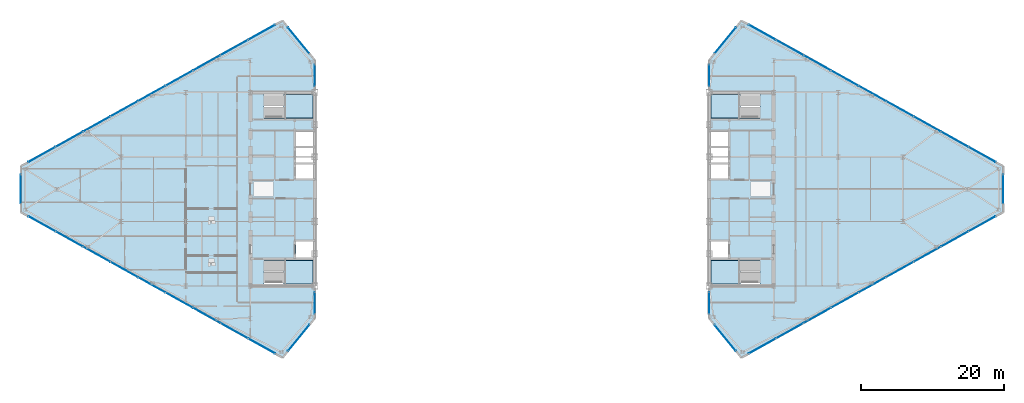
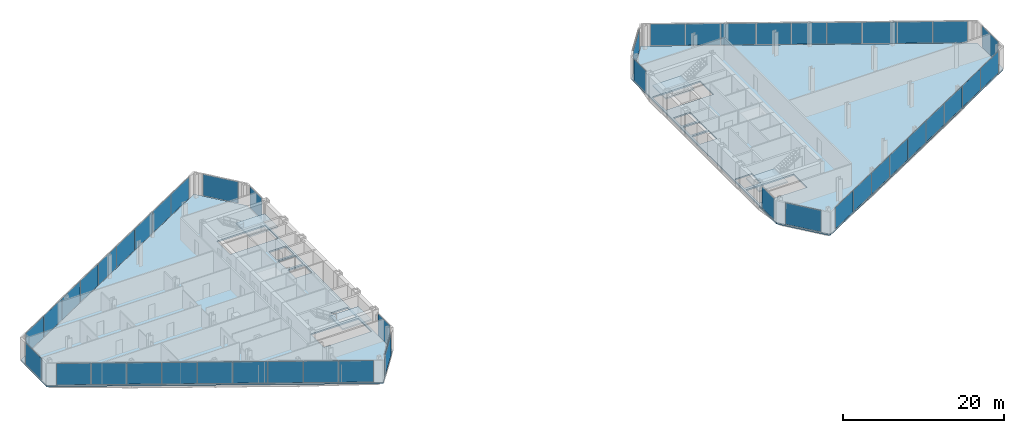
# One storey, part 18 of 26: 46 plates, 6 slabs, 18 elements without a shape of their own.
"""IFC4 building model written with IfcOpenShell, lengths in metres."""

from ifc_helpers import new_model, si_unit, direction, frame, origin, origin_2d, place, context, subcontext, project, spatial, polyline, rectangle, outline, extrude, source, transform, mapped, material, layer, layer_set, type_object, type_shapes, element, aggregate, save


model = new_model("IFC4")

# Units and contexts
model_context = context("Model", 3, precision=1e-05, world=origin(), true_north=direction((0.0, 1.0)))
body_context = subcontext(model_context, "Body", "Model", "MODEL_VIEW")
ifc_project = project(units=[si_unit("LENGTHUNIT", "METRE"), si_unit("AREAUNIT", "SQUARE_METRE"), si_unit("VOLUMEUNIT", "CUBIC_METRE"), si_unit("PLANEANGLEUNIT", "RADIAN"), si_unit("MASSUNIT", "GRAM", prefix="KILO")], contexts=[model_context])

# Site, building, storey
site_placement = place(None, origin())
site = spatial("IfcSite", under=ifc_project, at=site_placement, CompositionType="ELEMENT")
building_placement = place(site_placement, origin())
building = spatial("IfcBuilding", under=site, at=building_placement, Name="Seokmaru Belvedere", CompositionType="ELEMENT")
storey_placement = place(building_placement, frame((0.0, 0.0, 181.5)))
storey = spatial("IfcBuildingStorey", under=building, at=storey_placement, Name="L48", CompositionType="ELEMENT", Elevation=181.5)

# Stair, slab
ifc_material_1 = material(Name="Concrete C40 (40 MPa)", Category="concrete")
stair_type = type_object("IfcStairType", Name="Typical Tower Core Dog-Leg Stair 3600", PredefinedType="TWO_STRAIGHT_RUN_STAIR", material=ifc_material_1)
stair_1_placement = place(storey_placement, origin())
stair_1 = element("IfcStair", 1, at=stair_1_placement, inside=storey, type_object=stair_type, Name="L48 Special Escape Stair ST-W1", PredefinedType="TWO_STRAIGHT_RUN_STAIR")
ifc_layer_1 = layer(ifc_material_1, 0.199951171875)
ifc_layer_set_1 = layer_set([ifc_layer_1], Name="Concrete C40 (40 MPa)")
slab_type_1 = type_object("IfcSlabType", Name="Reinforced Concrete Stair Landing Slab 200", PredefinedType="LANDING", material=ifc_layer_set_1)
slab_1_placement = place(storey_placement, frame((0.0, 0.0, 1.60009765625)))
slab_1 = element("IfcSlab", 2, at=slab_1_placement, type_object=slab_type_1, Name="ST-W1 landing 1", PredefinedType="LANDING", context=body_context, shape_type="SweptSolid", body=[
    extrude(outline(polyline([(-31.8798828125, -13.239990234375), (-27.760009765625, -13.239990234375), (-27.760009765625, -9.949951171875), (-31.8798828125, -9.949951171875), (-31.8798828125, -13.239990234375)])), origin(), (0.0, 0.0, 1.0), 0.199951171875),
])
aggregate(stair_1, [slab_1])

stair_2_placement = place(storey_placement, origin())
stair_2 = element("IfcStair", 3, at=stair_2_placement, inside=storey, type_object=stair_type, Name="L48 Special Escape Stair ST-W2", PredefinedType="TWO_STRAIGHT_RUN_STAIR")
slab_2_placement = place(storey_placement, frame((0.0, 0.0, 1.60009765625)))
slab_2 = element("IfcSlab", 4, at=slab_2_placement, type_object=slab_type_1, Name="ST-W2 landing 1", PredefinedType="LANDING", context=body_context, shape_type="SweptSolid", body=[
    extrude(outline(polyline([(-31.8798828125, 9.949951171875), (-27.760009765625, 9.949951171875), (-27.760009765625, 13.239990234375), (-31.8798828125, 13.239990234375), (-31.8798828125, 9.949951171875)])), origin(), (0.0, 0.0, 1.0), 0.199951171875),
])
aggregate(stair_2, [slab_2])

stair_3_placement = place(storey_placement, origin())
stair_3 = element("IfcStair", 5, at=stair_3_placement, inside=storey, type_object=stair_type, Name="L48 Special Escape Stair ST-E1", PredefinedType="TWO_STRAIGHT_RUN_STAIR")
slab_3_placement = place(storey_placement, frame((0.0, 0.0, 1.60009765625)))
slab_3 = element("IfcSlab", 6, at=slab_3_placement, type_object=slab_type_1, Name="ST-E1 landing 1", PredefinedType="LANDING", context=body_context, shape_type="SweptSolid", body=[
    extrude(outline(polyline([(27.760009765625, -13.239990234375), (31.8798828125, -13.239990234375), (31.8798828125, -9.949951171875), (27.760009765625, -9.949951171875), (27.760009765625, -13.239990234375)])), origin(), (0.0, 0.0, 1.0), 0.199951171875),
])
aggregate(stair_3, [slab_3])

stair_4_placement = place(storey_placement, origin())
stair_4 = element("IfcStair", 7, at=stair_4_placement, inside=storey, type_object=stair_type, Name="L48 Special Escape Stair ST-E2", PredefinedType="TWO_STRAIGHT_RUN_STAIR")
slab_4_placement = place(storey_placement, frame((0.0, 0.0, 1.60009765625)))
slab_4 = element("IfcSlab", 8, at=slab_4_placement, type_object=slab_type_1, Name="ST-E2 landing 1", PredefinedType="LANDING", context=body_context, shape_type="SweptSolid", body=[
    extrude(outline(polyline([(27.760009765625, 9.949951171875), (31.8798828125, 9.949951171875), (31.8798828125, 13.239990234375), (27.760009765625, 13.239990234375), (27.760009765625, 9.949951171875)])), origin(), (0.0, 0.0, 1.0), 0.199951171875),
])
aggregate(stair_4, [slab_4])

# Slabs
ifc_layer_2 = layer(ifc_material_1, 0.219970703125)
ifc_layer_set_2 = layer_set([ifc_layer_2], Name="Concrete C40 (40 MPa)")
slab_type_2 = type_object("IfcSlabType", Name="Typical Tower Composite Floor Slab 220", PredefinedType="FLOOR", material=ifc_layer_set_2)
slab_5_placement = place(storey_placement, frame((0.0, 0.0, -0.219970703125)))
element("IfcSlab", 9, at=slab_5_placement, inside=storey, type_object=slab_type_2, Name="L48 West Leg Floor Slab", PredefinedType="FLOOR", context=body_context, shape_type="SweptSolid", body=[
    extrude(outline(polyline([(-27.5, -18.0), (-27.5, 18.0), (-32.0, 23.5), (-68.5, 3.199951171875), (-68.5, -3.199951171875), (-32.0, -23.5), (-27.5, -18.0)]), holes=[polyline([(-34.60009765625, -13.25), (-27.75, -13.25), (-27.75, -9.949951171875), (-34.60009765625, -9.949951171875), (-34.60009765625, -13.25)]), polyline([(-34.60009765625, 9.949951171875), (-27.75, 9.949951171875), (-27.75, 13.25), (-34.60009765625, 13.25), (-34.60009765625, 9.949951171875)]), polyline([(-30.14990234375, -9.550048828125), (-27.75, -9.550048828125), (-27.75, -7.25), (-30.14990234375, -7.25), (-30.14990234375, -9.550048828125)]), polyline([(-30.14990234375, 1.449951171875), (-27.75, 1.449951171875), (-27.75, 3.449951171875), (-30.14990234375, 3.449951171875), (-30.14990234375, 1.449951171875)]), polyline([(-30.14990234375, 3.75), (-27.75, 3.75), (-27.75, 5.75), (-30.14990234375, 5.75), (-30.14990234375, 3.75)]), polyline([(-30.14990234375, 6.050048828125), (-27.75, 6.050048828125), (-27.75, 8.050048828125), (-30.14990234375, 8.050048828125), (-30.14990234375, 6.050048828125)])]), origin(), (0.0, 0.0, 1.0), 0.219970703125),
])
slab_6_placement = place(storey_placement, frame((0.0, 0.0, -0.219970703125)))
element("IfcSlab", 10, at=slab_6_placement, inside=storey, type_object=slab_type_2, Name="L48 East Leg Floor Slab", PredefinedType="FLOOR", context=body_context, shape_type="SweptSolid", body=[
    extrude(outline(polyline([(32.0, -23.5), (68.5, -3.199951171875), (68.5, 3.199951171875), (32.0, 23.5), (27.5, 18.0), (27.5, -18.0), (32.0, -23.5)]), holes=[polyline([(27.75, -13.25), (34.60009765625, -13.25), (34.60009765625, -9.949951171875), (27.75, -9.949951171875), (27.75, -13.25)]), polyline([(27.75, 9.949951171875), (34.60009765625, 9.949951171875), (34.60009765625, 13.25), (27.75, 13.25), (27.75, 9.949951171875)]), polyline([(27.75, -9.550048828125), (30.14990234375, -9.550048828125), (30.14990234375, -7.25), (27.75, -7.25), (27.75, -9.550048828125)]), polyline([(27.75, 1.449951171875), (30.14990234375, 1.449951171875), (30.14990234375, 3.449951171875), (27.75, 3.449951171875), (27.75, 1.449951171875)]), polyline([(27.75, 3.75), (30.14990234375, 3.75), (30.14990234375, 5.75), (27.75, 5.75), (27.75, 3.75)]), polyline([(27.75, 6.050048828125), (30.14990234375, 6.050048828125), (30.14990234375, 8.050048828125), (27.75, 8.050048828125), (27.75, 6.050048828125)])]), origin(), (0.0, 0.0, 1.0), 0.219970703125),
])

# Curtain wall, plate
ifc_material_2 = material(Name="Bronze Triple Insulating Glass", Category="glass")
ifc_layer_3 = layer(ifc_material_2, 0.179931640625)
ifc_layer_set_3 = layer_set([ifc_layer_3], Name="Bronze Triple Insulating Glass")
curtain_wall_type = type_object("IfcCurtainWallType", Name="High-Rise Wind-Corner Curtain Wall System CW-5", PredefinedType="NOTDEFINED", material=ifc_layer_set_3)
curtain_wall_1_placement = place(storey_placement, origin())
curtain_wall_1 = element("IfcCurtainWall", 11, at=curtain_wall_1_placement, inside=storey, type_object=curtain_wall_type, Name="L48 Curtain Wall WSP_1", PredefinedType="NOTDEFINED")
ifc_layer_4 = layer(ifc_material_2, 0.035888671875)
ifc_layer_set_4 = layer_set([ifc_layer_4], Name="Bronze Triple Insulating Glass")
plate_type = type_object("IfcPlateType", Name="Bronze Triple Vision Glazing Panel 36", PredefinedType="CURTAIN_PANEL", material=ifc_layer_set_4)
shared_shape_1 = source(origin(), body_context, "Body", "SweptSolid", [
    extrude(rectangle(XDim=2.969970703125, YDim=0.035888671875, at=origin_2d()), origin(), (0.0, 0.0, 1.0), 3.25),
])
plate_1_placement = place(storey_placement, frame((-27.5, -15.8798828125, 0.06494140625), z_axis=(0.0, 0.0, 1.0), x_axis=(0.0, 1.0, 0.0)))
plate_1 = element("IfcPlate", 12, at=plate_1_placement, type_object=plate_type, Name="CW:L48:WSP_1 Glazing Panel 1-1", PredefinedType="CURTAIN_PANEL", context=body_context, shape_type="MappedRepresentation", body=[
    mapped(shared_shape_1, transform((0.0, 0.0, 0.0), scale=1.0)),
])
aggregate(curtain_wall_1, [plate_1])

curtain_wall_2_placement = place(storey_placement, origin())
curtain_wall_2 = element("IfcCurtainWall", 13, at=curtain_wall_2_placement, inside=storey, type_object=curtain_wall_type, Name="L48 Curtain Wall WSP_2", PredefinedType="NOTDEFINED")
plate_2_placement = place(storey_placement, frame((-27.5, 15.8798828125, 0.06494140625), z_axis=(0.0, 0.0, 1.0), x_axis=(0.0, 1.0, 0.0)))
plate_2 = element("IfcPlate", 14, at=plate_2_placement, type_object=plate_type, Name="CW:L48:WSP_2 Glazing Panel 1-1", PredefinedType="CURTAIN_PANEL", context=body_context, shape_type="MappedRepresentation", body=[
    mapped(shared_shape_1, transform((0.0, 0.0, 0.0), scale=1.0)),
])
aggregate(curtain_wall_2, [plate_2])

curtain_wall_3_placement = place(storey_placement, origin())
curtain_wall_3 = element("IfcCurtainWall", 15, at=curtain_wall_3_placement, inside=storey, type_object=curtain_wall_type, Name="L48 Curtain Wall ESP_1", PredefinedType="NOTDEFINED")
plate_3_placement = place(storey_placement, frame((27.5, -15.8798828125, 0.06494140625), z_axis=(0.0, 0.0, 1.0), x_axis=(0.0, -1.0, 0.0)))
plate_3 = element("IfcPlate", 16, at=plate_3_placement, type_object=plate_type, Name="CW:L48:ESP_1 Glazing Panel 1-1", PredefinedType="CURTAIN_PANEL", context=body_context, shape_type="MappedRepresentation", body=[
    mapped(shared_shape_1, transform((0.0, 0.0, 0.0), scale=1.0)),
])
aggregate(curtain_wall_3, [plate_3])

curtain_wall_4_placement = place(storey_placement, origin())
curtain_wall_4 = element("IfcCurtainWall", 17, at=curtain_wall_4_placement, inside=storey, type_object=curtain_wall_type, Name="L48 Curtain Wall ESP_2", PredefinedType="NOTDEFINED")
plate_4_placement = place(storey_placement, frame((27.5, 15.8798828125, 0.06494140625), z_axis=(0.0, 0.0, 1.0), x_axis=(0.0, -1.0, 0.0)))
plate_4 = element("IfcPlate", 18, at=plate_4_placement, type_object=plate_type, Name="CW:L48:ESP_2 Glazing Panel 1-1", PredefinedType="CURTAIN_PANEL", context=body_context, shape_type="MappedRepresentation", body=[
    mapped(shared_shape_1, transform((0.0, 0.0, 0.0), scale=1.0)),
])
aggregate(curtain_wall_4, [plate_4])

curtain_wall_5_placement = place(storey_placement, origin())
curtain_wall_5 = element("IfcCurtainWall", 19, at=curtain_wall_5_placement, inside=storey, type_object=curtain_wall_type, Name="L48 Curtain Wall WF2", PredefinedType="NOTDEFINED")
shared_shape_2 = source(origin(), body_context, "Body", "SweptSolid", [
    extrude(rectangle(XDim=4.67626953125, YDim=0.035888671875, at=origin_2d()), origin(), (0.0, 0.0, 1.0), 3.25),
])
plate_5_placement = place(storey_placement, frame((-29.75, 20.75, 0.06494140625), z_axis=(0.0, 0.0, 1.0), x_axis=(-0.633253907144, 0.773944112379, 0.0)))
plate_5 = element("IfcPlate", 20, at=plate_5_placement, type_object=plate_type, Name="CW:L48:WF2 Glazing Panel 1-1", PredefinedType="CURTAIN_PANEL", context=body_context, shape_type="MappedRepresentation", body=[
    mapped(shared_shape_2, transform((0.0, 0.0, 0.0), scale=1.0)),
])
aggregate(curtain_wall_5, [plate_5])

curtain_wall_6_placement = place(storey_placement, origin())
curtain_wall_6 = element("IfcCurtainWall", 21, at=curtain_wall_6_placement, inside=storey, type_object=curtain_wall_type, Name="L48 Curtain Wall WF6", PredefinedType="NOTDEFINED")
plate_6_placement = place(storey_placement, frame((-29.75, -20.75, 0.06494140625), z_axis=(0.0, 0.0, 1.0), x_axis=(0.633253907144, 0.773944112379, 0.0)))
plate_6 = element("IfcPlate", 22, at=plate_6_placement, type_object=plate_type, Name="CW:L48:WF6 Glazing Panel 1-1", PredefinedType="CURTAIN_PANEL", context=body_context, shape_type="MappedRepresentation", body=[
    mapped(shared_shape_2, transform((0.0, 0.0, 0.0), scale=1.0)),
])
aggregate(curtain_wall_6, [plate_6])

curtain_wall_7_placement = place(storey_placement, origin())
curtain_wall_7 = element("IfcCurtainWall", 23, at=curtain_wall_7_placement, inside=storey, type_object=curtain_wall_type, Name="L48 Curtain Wall EF4", PredefinedType="NOTDEFINED")
plate_7_placement = place(storey_placement, frame((29.75, 20.75, 0.06494140625), z_axis=(0.0, 0.0, 1.0), x_axis=(-0.633253907144, -0.773944112379, 0.0)))
plate_7 = element("IfcPlate", 24, at=plate_7_placement, type_object=plate_type, Name="CW:L48:EF4 Glazing Panel 1-1", PredefinedType="CURTAIN_PANEL", context=body_context, shape_type="MappedRepresentation", body=[
    mapped(shared_shape_2, transform((0.0, 0.0, 0.0), scale=1.0)),
])
aggregate(curtain_wall_7, [plate_7])

curtain_wall_8_placement = place(storey_placement, origin())
curtain_wall_8 = element("IfcCurtainWall", 25, at=curtain_wall_8_placement, inside=storey, type_object=curtain_wall_type, Name="L48 Curtain Wall EF6", PredefinedType="NOTDEFINED")
plate_8_placement = place(storey_placement, frame((29.75, -20.75, 0.06494140625), z_axis=(0.0, 0.0, 1.0), x_axis=(0.633253907144, -0.773944112379, 0.0)))
plate_8 = element("IfcPlate", 26, at=plate_8_placement, type_object=plate_type, Name="CW:L48:EF6 Glazing Panel 1-1", PredefinedType="CURTAIN_PANEL", context=body_context, shape_type="MappedRepresentation", body=[
    mapped(shared_shape_2, transform((0.0, 0.0, 0.0), scale=1.0)),
])
aggregate(curtain_wall_8, [plate_8])

# Curtain wall, plates
curtain_wall_9_placement = place(storey_placement, origin())
curtain_wall_9 = element("IfcCurtainWall", 27, at=curtain_wall_9_placement, inside=storey, type_object=curtain_wall_type, Name="L48 Curtain Wall WF3", PredefinedType="NOTDEFINED")
shared_shape_3 = source(origin(), body_context, "Body", "SweptSolid", [
    extrude(rectangle(XDim=4.28759765625, YDim=0.035888671875, at=origin_2d()), origin(), (0.0, 0.0, 1.0), 3.25),
])
plate_9_placement = place(storey_placement, frame((-34.935302734375, 21.867431640625, 0.06494140625), z_axis=(0.0, 0.0, 1.0), x_axis=(-0.873932601598, -0.486047125147, 0.0)))
plate_9 = element("IfcPlate", 28, at=plate_9_placement, type_object=plate_type, Name="CW:L48:WF3 Glazing Panel 1-1", PredefinedType="CURTAIN_PANEL", context=body_context, shape_type="MappedRepresentation", body=[
    mapped(shared_shape_3, transform((0.0, 0.0, 0.0), scale=1.0)),
])
plate_10_placement = place(storey_placement, frame((-65.564697265625, 4.83251953125, 0.06494140625), z_axis=(0.0, 0.0, 1.0), x_axis=(-0.873932601598, -0.486047125147, 0.0)))
plate_10 = element("IfcPlate", 29, at=plate_10_placement, type_object=plate_type, Name="CW:L48:WF3 Glazing Panel 9-1", PredefinedType="CURTAIN_PANEL", context=body_context, shape_type="MappedRepresentation", body=[
    mapped(shared_shape_3, transform((0.0, 0.0, 0.0), scale=1.0)),
])

curtain_wall_10_placement = place(storey_placement, origin())
curtain_wall_10 = element("IfcCurtainWall", 30, at=curtain_wall_10_placement, inside=storey, type_object=curtain_wall_type, Name="L48 Curtain Wall WF5", PredefinedType="NOTDEFINED")
plate_11_placement = place(storey_placement, frame((-65.564697265625, -4.83251953125, 0.06494140625), z_axis=(0.0, 0.0, 1.0), x_axis=(0.873932601598, -0.486047125147, 0.0)))
plate_11 = element("IfcPlate", 31, at=plate_11_placement, type_object=plate_type, Name="CW:L48:WF5 Glazing Panel 1-1", PredefinedType="CURTAIN_PANEL", context=body_context, shape_type="MappedRepresentation", body=[
    mapped(shared_shape_3, transform((0.0, 0.0, 0.0), scale=1.0)),
])
plate_12_placement = place(storey_placement, frame((-34.935302734375, -21.867431640625, 0.06494140625), z_axis=(0.0, 0.0, 1.0), x_axis=(0.873932601598, -0.486047125147, 0.0)))
plate_12 = element("IfcPlate", 32, at=plate_12_placement, type_object=plate_type, Name="CW:L48:WF5 Glazing Panel 9-1", PredefinedType="CURTAIN_PANEL", context=body_context, shape_type="MappedRepresentation", body=[
    mapped(shared_shape_3, transform((0.0, 0.0, 0.0), scale=1.0)),
])

curtain_wall_11_placement = place(storey_placement, origin())
curtain_wall_11 = element("IfcCurtainWall", 33, at=curtain_wall_11_placement, inside=storey, type_object=curtain_wall_type, Name="L48 Curtain Wall EF1", PredefinedType="NOTDEFINED")
plate_13_placement = place(storey_placement, frame((34.935302734375, -21.867431640625, 0.06494140625), z_axis=(0.0, 0.0, 1.0), x_axis=(0.873932601598, 0.486047125147, 0.0)))
plate_13 = element("IfcPlate", 34, at=plate_13_placement, type_object=plate_type, Name="CW:L48:EF1 Glazing Panel 1-1", PredefinedType="CURTAIN_PANEL", context=body_context, shape_type="MappedRepresentation", body=[
    mapped(shared_shape_3, transform((0.0, 0.0, 0.0), scale=1.0)),
])
plate_14_placement = place(storey_placement, frame((65.564697265625, -4.83251953125, 0.06494140625), z_axis=(0.0, 0.0, 1.0), x_axis=(0.873932601598, 0.486047125147, 0.0)))
plate_14 = element("IfcPlate", 35, at=plate_14_placement, type_object=plate_type, Name="CW:L48:EF1 Glazing Panel 9-1", PredefinedType="CURTAIN_PANEL", context=body_context, shape_type="MappedRepresentation", body=[
    mapped(shared_shape_3, transform((0.0, 0.0, 0.0), scale=1.0)),
])

curtain_wall_12_placement = place(storey_placement, origin())
curtain_wall_12 = element("IfcCurtainWall", 36, at=curtain_wall_12_placement, inside=storey, type_object=curtain_wall_type, Name="L48 Curtain Wall EF3", PredefinedType="NOTDEFINED")
plate_15_placement = place(storey_placement, frame((65.564697265625, 4.83251953125, 0.06494140625), z_axis=(0.0, 0.0, 1.0), x_axis=(-0.873932601598, 0.486047125147, 0.0)))
plate_15 = element("IfcPlate", 37, at=plate_15_placement, type_object=plate_type, Name="CW:L48:EF3 Glazing Panel 1-1", PredefinedType="CURTAIN_PANEL", context=body_context, shape_type="MappedRepresentation", body=[
    mapped(shared_shape_3, transform((0.0, 0.0, 0.0), scale=1.0)),
])
plate_16_placement = place(storey_placement, frame((34.935302734375, 21.867431640625, 0.06494140625), z_axis=(0.0, 0.0, 1.0), x_axis=(-0.873932601598, 0.486047125147, 0.0)))
plate_16 = element("IfcPlate", 38, at=plate_16_placement, type_object=plate_type, Name="CW:L48:EF3 Glazing Panel 9-1", PredefinedType="CURTAIN_PANEL", context=body_context, shape_type="MappedRepresentation", body=[
    mapped(shared_shape_3, transform((0.0, 0.0, 0.0), scale=1.0)),
])

# Plate
shared_shape_4 = source(origin(), body_context, "Body", "SweptSolid", [
    extrude(rectangle(XDim=4.320068359375, YDim=0.035888671875, at=origin_2d()), origin(), (0.0, 0.0, 1.0), 3.25),
])
plate_17_placement = place(storey_placement, frame((-38.75341796875, 19.743896484375, 0.06494140625), z_axis=(0.0, 0.0, 1.0), x_axis=(-0.873932601598, -0.486047125147, 0.0)))
plate_17 = element("IfcPlate", 39, at=plate_17_placement, type_object=plate_type, Name="CW:L48:WF3 Glazing Panel 2-1", PredefinedType="CURTAIN_PANEL", context=body_context, shape_type="MappedRepresentation", body=[
    mapped(shared_shape_4, transform((0.0, 0.0, 0.0), scale=1.0)),
])

plate_18_placement = place(storey_placement, frame((-42.585693359375, 17.61279296875, 0.06494140625), z_axis=(0.0, 0.0, 1.0), x_axis=(-0.873932601598, -0.486047125147, 0.0)))
plate_18 = element("IfcPlate", 40, at=plate_18_placement, type_object=plate_type, Name="CW:L48:WF3 Glazing Panel 3-1", PredefinedType="CURTAIN_PANEL", context=body_context, shape_type="MappedRepresentation", body=[
    mapped(shared_shape_4, transform((0.0, 0.0, 0.0), scale=1.0)),
])

plate_19_placement = place(storey_placement, frame((-46.417724609375, 15.481201171875, 0.06494140625), z_axis=(0.0, 0.0, 1.0), x_axis=(-0.873932601598, -0.486047125147, 0.0)))
plate_19 = element("IfcPlate", 41, at=plate_19_placement, type_object=plate_type, Name="CW:L48:WF3 Glazing Panel 4-1", PredefinedType="CURTAIN_PANEL", context=body_context, shape_type="MappedRepresentation", body=[
    mapped(shared_shape_4, transform((0.0, 0.0, 0.0), scale=1.0)),
])

plate_20_placement = place(storey_placement, frame((-50.25, 13.35009765625, 0.06494140625), z_axis=(0.0, 0.0, 1.0), x_axis=(-0.873932601598, -0.486047125147, 0.0)))
plate_20 = element("IfcPlate", 42, at=plate_20_placement, type_object=plate_type, Name="CW:L48:WF3 Glazing Panel 5-1", PredefinedType="CURTAIN_PANEL", context=body_context, shape_type="MappedRepresentation", body=[
    mapped(shared_shape_4, transform((0.0, 0.0, 0.0), scale=1.0)),
])

plate_21_placement = place(storey_placement, frame((-54.082275390625, 11.21875, 0.06494140625), z_axis=(0.0, 0.0, 1.0), x_axis=(-0.873932601598, -0.486047125147, 0.0)))
plate_21 = element("IfcPlate", 43, at=plate_21_placement, type_object=plate_type, Name="CW:L48:WF3 Glazing Panel 6-1", PredefinedType="CURTAIN_PANEL", context=body_context, shape_type="MappedRepresentation", body=[
    mapped(shared_shape_4, transform((0.0, 0.0, 0.0), scale=1.0)),
])

plate_22_placement = place(storey_placement, frame((-57.914306640625, 9.08740234375, 0.06494140625), z_axis=(0.0, 0.0, 1.0), x_axis=(-0.873932601598, -0.486047125147, 0.0)))
plate_22 = element("IfcPlate", 44, at=plate_22_placement, type_object=plate_type, Name="CW:L48:WF3 Glazing Panel 7-1", PredefinedType="CURTAIN_PANEL", context=body_context, shape_type="MappedRepresentation", body=[
    mapped(shared_shape_4, transform((0.0, 0.0, 0.0), scale=1.0)),
])

plate_23_placement = place(storey_placement, frame((-61.74658203125, 6.9560546875, 0.06494140625), z_axis=(0.0, 0.0, 1.0), x_axis=(-0.873932601598, -0.486047125147, 0.0)))
plate_23 = element("IfcPlate", 45, at=plate_23_placement, type_object=plate_type, Name="CW:L48:WF3 Glazing Panel 8-1", PredefinedType="CURTAIN_PANEL", context=body_context, shape_type="MappedRepresentation", body=[
    mapped(shared_shape_4, transform((0.0, 0.0, 0.0), scale=1.0)),
])

aggregate(curtain_wall_9, [plate_9, plate_17, plate_18, plate_19, plate_20, plate_21, plate_22, plate_23, plate_10])

plate_24_placement = place(storey_placement, frame((-61.74658203125, -6.9560546875, 0.06494140625), z_axis=(0.0, 0.0, 1.0), x_axis=(0.873932601598, -0.486047125147, 0.0)))
plate_24 = element("IfcPlate", 46, at=plate_24_placement, type_object=plate_type, Name="CW:L48:WF5 Glazing Panel 2-1", PredefinedType="CURTAIN_PANEL", context=body_context, shape_type="MappedRepresentation", body=[
    mapped(shared_shape_4, transform((0.0, 0.0, 0.0), scale=1.0)),
])

plate_25_placement = place(storey_placement, frame((-57.914306640625, -9.08740234375, 0.06494140625), z_axis=(0.0, 0.0, 1.0), x_axis=(0.873932601598, -0.486047125147, 0.0)))
plate_25 = element("IfcPlate", 47, at=plate_25_placement, type_object=plate_type, Name="CW:L48:WF5 Glazing Panel 3-1", PredefinedType="CURTAIN_PANEL", context=body_context, shape_type="MappedRepresentation", body=[
    mapped(shared_shape_4, transform((0.0, 0.0, 0.0), scale=1.0)),
])

plate_26_placement = place(storey_placement, frame((-54.082275390625, -11.21875, 0.06494140625), z_axis=(0.0, 0.0, 1.0), x_axis=(0.873932601598, -0.486047125147, 0.0)))
plate_26 = element("IfcPlate", 48, at=plate_26_placement, type_object=plate_type, Name="CW:L48:WF5 Glazing Panel 4-1", PredefinedType="CURTAIN_PANEL", context=body_context, shape_type="MappedRepresentation", body=[
    mapped(shared_shape_4, transform((0.0, 0.0, 0.0), scale=1.0)),
])

plate_27_placement = place(storey_placement, frame((-50.25, -13.35009765625, 0.06494140625), z_axis=(0.0, 0.0, 1.0), x_axis=(0.873932601598, -0.486047125147, 0.0)))
plate_27 = element("IfcPlate", 49, at=plate_27_placement, type_object=plate_type, Name="CW:L48:WF5 Glazing Panel 5-1", PredefinedType="CURTAIN_PANEL", context=body_context, shape_type="MappedRepresentation", body=[
    mapped(shared_shape_4, transform((0.0, 0.0, 0.0), scale=1.0)),
])

plate_28_placement = place(storey_placement, frame((-46.417724609375, -15.481201171875, 0.06494140625), z_axis=(0.0, 0.0, 1.0), x_axis=(0.873932601598, -0.486047125147, 0.0)))
plate_28 = element("IfcPlate", 50, at=plate_28_placement, type_object=plate_type, Name="CW:L48:WF5 Glazing Panel 6-1", PredefinedType="CURTAIN_PANEL", context=body_context, shape_type="MappedRepresentation", body=[
    mapped(shared_shape_4, transform((0.0, 0.0, 0.0), scale=1.0)),
])

plate_29_placement = place(storey_placement, frame((-42.585693359375, -17.61279296875, 0.06494140625), z_axis=(0.0, 0.0, 1.0), x_axis=(0.873932601598, -0.486047125147, 0.0)))
plate_29 = element("IfcPlate", 51, at=plate_29_placement, type_object=plate_type, Name="CW:L48:WF5 Glazing Panel 7-1", PredefinedType="CURTAIN_PANEL", context=body_context, shape_type="MappedRepresentation", body=[
    mapped(shared_shape_4, transform((0.0, 0.0, 0.0), scale=1.0)),
])

plate_30_placement = place(storey_placement, frame((-38.75341796875, -19.743896484375, 0.06494140625), z_axis=(0.0, 0.0, 1.0), x_axis=(0.873932601598, -0.486047125147, 0.0)))
plate_30 = element("IfcPlate", 52, at=plate_30_placement, type_object=plate_type, Name="CW:L48:WF5 Glazing Panel 8-1", PredefinedType="CURTAIN_PANEL", context=body_context, shape_type="MappedRepresentation", body=[
    mapped(shared_shape_4, transform((0.0, 0.0, 0.0), scale=1.0)),
])

aggregate(curtain_wall_10, [plate_11, plate_24, plate_25, plate_26, plate_27, plate_28, plate_29, plate_30, plate_12])

plate_31_placement = place(storey_placement, frame((38.75341796875, -19.743896484375, 0.06494140625), z_axis=(0.0, 0.0, 1.0), x_axis=(0.873932601598, 0.486047125147, 0.0)))
plate_31 = element("IfcPlate", 53, at=plate_31_placement, type_object=plate_type, Name="CW:L48:EF1 Glazing Panel 2-1", PredefinedType="CURTAIN_PANEL", context=body_context, shape_type="MappedRepresentation", body=[
    mapped(shared_shape_4, transform((0.0, 0.0, 0.0), scale=1.0)),
])

plate_32_placement = place(storey_placement, frame((42.585693359375, -17.61279296875, 0.06494140625), z_axis=(0.0, 0.0, 1.0), x_axis=(0.873932601598, 0.486047125147, 0.0)))
plate_32 = element("IfcPlate", 54, at=plate_32_placement, type_object=plate_type, Name="CW:L48:EF1 Glazing Panel 3-1", PredefinedType="CURTAIN_PANEL", context=body_context, shape_type="MappedRepresentation", body=[
    mapped(shared_shape_4, transform((0.0, 0.0, 0.0), scale=1.0)),
])

plate_33_placement = place(storey_placement, frame((46.417724609375, -15.481201171875, 0.06494140625), z_axis=(0.0, 0.0, 1.0), x_axis=(0.873932601598, 0.486047125147, 0.0)))
plate_33 = element("IfcPlate", 55, at=plate_33_placement, type_object=plate_type, Name="CW:L48:EF1 Glazing Panel 4-1", PredefinedType="CURTAIN_PANEL", context=body_context, shape_type="MappedRepresentation", body=[
    mapped(shared_shape_4, transform((0.0, 0.0, 0.0), scale=1.0)),
])

plate_34_placement = place(storey_placement, frame((50.25, -13.35009765625, 0.06494140625), z_axis=(0.0, 0.0, 1.0), x_axis=(0.873932601598, 0.486047125147, 0.0)))
plate_34 = element("IfcPlate", 56, at=plate_34_placement, type_object=plate_type, Name="CW:L48:EF1 Glazing Panel 5-1", PredefinedType="CURTAIN_PANEL", context=body_context, shape_type="MappedRepresentation", body=[
    mapped(shared_shape_4, transform((0.0, 0.0, 0.0), scale=1.0)),
])

plate_35_placement = place(storey_placement, frame((54.082275390625, -11.21875, 0.06494140625), z_axis=(0.0, 0.0, 1.0), x_axis=(0.873932601598, 0.486047125147, 0.0)))
plate_35 = element("IfcPlate", 57, at=plate_35_placement, type_object=plate_type, Name="CW:L48:EF1 Glazing Panel 6-1", PredefinedType="CURTAIN_PANEL", context=body_context, shape_type="MappedRepresentation", body=[
    mapped(shared_shape_4, transform((0.0, 0.0, 0.0), scale=1.0)),
])

plate_36_placement = place(storey_placement, frame((57.914306640625, -9.08740234375, 0.06494140625), z_axis=(0.0, 0.0, 1.0), x_axis=(0.873932601598, 0.486047125147, 0.0)))
plate_36 = element("IfcPlate", 58, at=plate_36_placement, type_object=plate_type, Name="CW:L48:EF1 Glazing Panel 7-1", PredefinedType="CURTAIN_PANEL", context=body_context, shape_type="MappedRepresentation", body=[
    mapped(shared_shape_4, transform((0.0, 0.0, 0.0), scale=1.0)),
])

plate_37_placement = place(storey_placement, frame((61.74658203125, -6.9560546875, 0.06494140625), z_axis=(0.0, 0.0, 1.0), x_axis=(0.873932601598, 0.486047125147, 0.0)))
plate_37 = element("IfcPlate", 59, at=plate_37_placement, type_object=plate_type, Name="CW:L48:EF1 Glazing Panel 8-1", PredefinedType="CURTAIN_PANEL", context=body_context, shape_type="MappedRepresentation", body=[
    mapped(shared_shape_4, transform((0.0, 0.0, 0.0), scale=1.0)),
])

aggregate(curtain_wall_11, [plate_13, plate_31, plate_32, plate_33, plate_34, plate_35, plate_36, plate_37, plate_14])

plate_38_placement = place(storey_placement, frame((61.74658203125, 6.9560546875, 0.06494140625), z_axis=(0.0, 0.0, 1.0), x_axis=(-0.873932601598, 0.486047125147, 0.0)))
plate_38 = element("IfcPlate", 60, at=plate_38_placement, type_object=plate_type, Name="CW:L48:EF3 Glazing Panel 2-1", PredefinedType="CURTAIN_PANEL", context=body_context, shape_type="MappedRepresentation", body=[
    mapped(shared_shape_4, transform((0.0, 0.0, 0.0), scale=1.0)),
])

plate_39_placement = place(storey_placement, frame((57.914306640625, 9.08740234375, 0.06494140625), z_axis=(0.0, 0.0, 1.0), x_axis=(-0.873932601598, 0.486047125147, 0.0)))
plate_39 = element("IfcPlate", 61, at=plate_39_placement, type_object=plate_type, Name="CW:L48:EF3 Glazing Panel 3-1", PredefinedType="CURTAIN_PANEL", context=body_context, shape_type="MappedRepresentation", body=[
    mapped(shared_shape_4, transform((0.0, 0.0, 0.0), scale=1.0)),
])

plate_40_placement = place(storey_placement, frame((54.082275390625, 11.21875, 0.06494140625), z_axis=(0.0, 0.0, 1.0), x_axis=(-0.873932601598, 0.486047125147, 0.0)))
plate_40 = element("IfcPlate", 62, at=plate_40_placement, type_object=plate_type, Name="CW:L48:EF3 Glazing Panel 4-1", PredefinedType="CURTAIN_PANEL", context=body_context, shape_type="MappedRepresentation", body=[
    mapped(shared_shape_4, transform((0.0, 0.0, 0.0), scale=1.0)),
])

plate_41_placement = place(storey_placement, frame((50.25, 13.35009765625, 0.06494140625), z_axis=(0.0, 0.0, 1.0), x_axis=(-0.873932601598, 0.486047125147, 0.0)))
plate_41 = element("IfcPlate", 63, at=plate_41_placement, type_object=plate_type, Name="CW:L48:EF3 Glazing Panel 5-1", PredefinedType="CURTAIN_PANEL", context=body_context, shape_type="MappedRepresentation", body=[
    mapped(shared_shape_4, transform((0.0, 0.0, 0.0), scale=1.0)),
])

plate_42_placement = place(storey_placement, frame((46.417724609375, 15.481201171875, 0.06494140625), z_axis=(0.0, 0.0, 1.0), x_axis=(-0.873932601598, 0.486047125147, 0.0)))
plate_42 = element("IfcPlate", 64, at=plate_42_placement, type_object=plate_type, Name="CW:L48:EF3 Glazing Panel 6-1", PredefinedType="CURTAIN_PANEL", context=body_context, shape_type="MappedRepresentation", body=[
    mapped(shared_shape_4, transform((0.0, 0.0, 0.0), scale=1.0)),
])

plate_43_placement = place(storey_placement, frame((42.585693359375, 17.61279296875, 0.06494140625), z_axis=(0.0, 0.0, 1.0), x_axis=(-0.873932601598, 0.486047125147, 0.0)))
plate_43 = element("IfcPlate", 65, at=plate_43_placement, type_object=plate_type, Name="CW:L48:EF3 Glazing Panel 7-1", PredefinedType="CURTAIN_PANEL", context=body_context, shape_type="MappedRepresentation", body=[
    mapped(shared_shape_4, transform((0.0, 0.0, 0.0), scale=1.0)),
])

plate_44_placement = place(storey_placement, frame((38.75341796875, 19.743896484375, 0.06494140625), z_axis=(0.0, 0.0, 1.0), x_axis=(-0.873932601598, 0.486047125147, 0.0)))
plate_44 = element("IfcPlate", 66, at=plate_44_placement, type_object=plate_type, Name="CW:L48:EF3 Glazing Panel 8-1", PredefinedType="CURTAIN_PANEL", context=body_context, shape_type="MappedRepresentation", body=[
    mapped(shared_shape_4, transform((0.0, 0.0, 0.0), scale=1.0)),
])

aggregate(curtain_wall_12, [plate_15, plate_38, plate_39, plate_40, plate_41, plate_42, plate_43, plate_44, plate_16])

# Curtain wall, plate
curtain_wall_13_placement = place(storey_placement, origin())
curtain_wall_13 = element("IfcCurtainWall", 67, at=curtain_wall_13_placement, inside=storey, type_object=curtain_wall_type, Name="L48 Curtain Wall WF4", PredefinedType="NOTDEFINED")
shared_shape_5 = source(origin(), body_context, "Body", "SweptSolid", [
    extrude(rectangle(XDim=3.969970703125, YDim=0.035888671875, at=origin_2d()), origin(), (0.0, 0.0, 1.0), 3.25),
])
type_shapes(plate_type, [shared_shape_1, shared_shape_2, shared_shape_3, shared_shape_4, shared_shape_5])
plate_45_placement = place(storey_placement, frame((-68.5, 0.0, 0.06494140625), z_axis=(0.0, 0.0, 1.0), x_axis=(0.0, -1.0, 0.0)))
plate_45 = element("IfcPlate", 68, at=plate_45_placement, type_object=plate_type, Name="CW:L48:WF4 Glazing Panel 1-1", PredefinedType="CURTAIN_PANEL", context=body_context, shape_type="MappedRepresentation", body=[
    mapped(shared_shape_5, transform((0.0, 0.0, 0.0), scale=1.0)),
])
aggregate(curtain_wall_13, [plate_45])

curtain_wall_14_placement = place(storey_placement, origin())
curtain_wall_14 = element("IfcCurtainWall", 69, at=curtain_wall_14_placement, inside=storey, type_object=curtain_wall_type, Name="L48 Curtain Wall EF2", PredefinedType="NOTDEFINED")
plate_46_placement = place(storey_placement, frame((68.5, 0.0, 0.06494140625), z_axis=(0.0, 0.0, 1.0), x_axis=(0.0, 1.0, 0.0)))
plate_46 = element("IfcPlate", 70, at=plate_46_placement, type_object=plate_type, Name="CW:L48:EF2 Glazing Panel 1-1", PredefinedType="CURTAIN_PANEL", context=body_context, shape_type="MappedRepresentation", body=[
    mapped(shared_shape_5, transform((0.0, 0.0, 0.0), scale=1.0)),
])
aggregate(curtain_wall_14, [plate_46])

save(model, "model.ifc")
